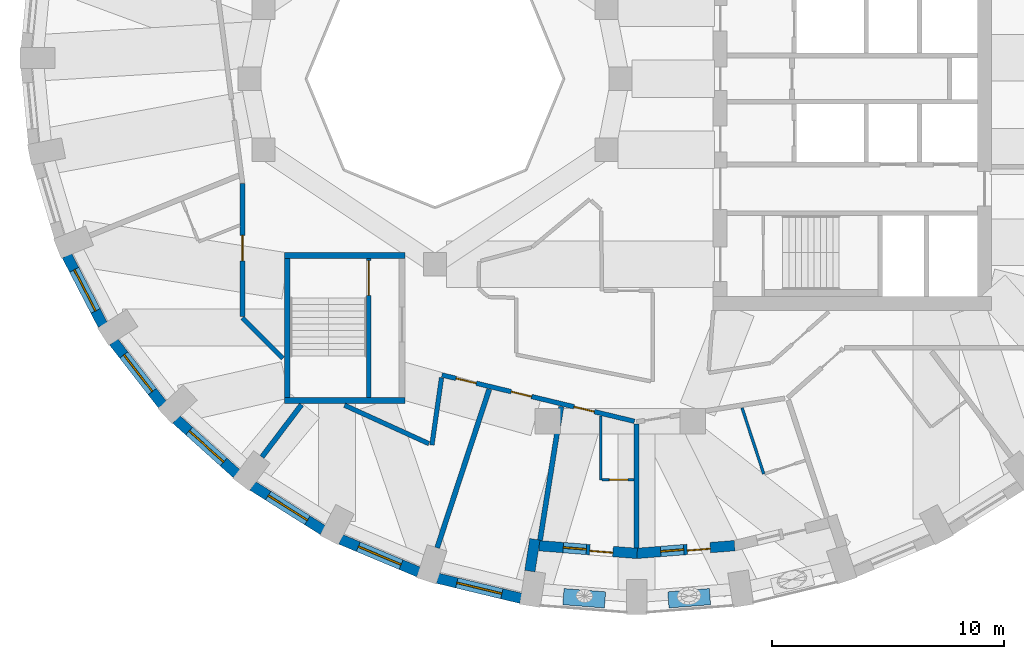
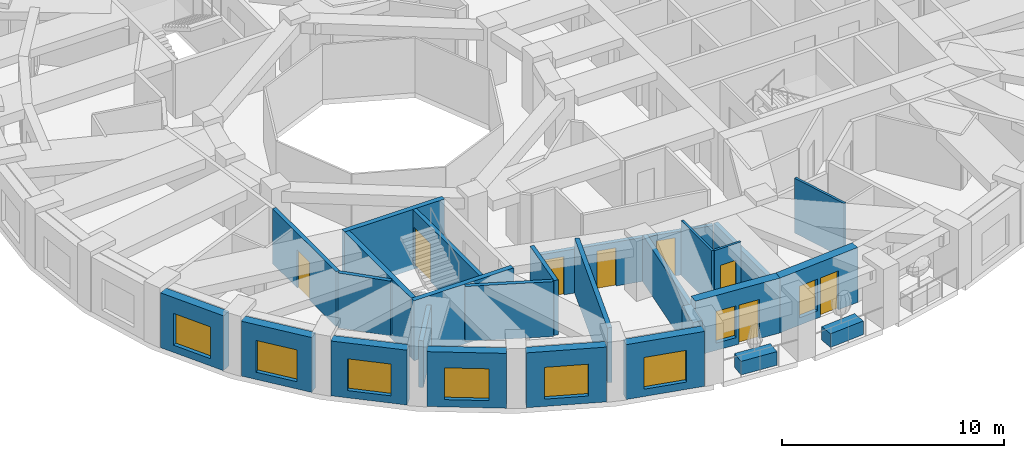
# One storey, part 3 of 12: 27 walls, 8 doors, 8 windows, 16 openings.
"""IFC4 building model written with IfcOpenShell, lengths in metres."""

import ifcopenshell
import ifcopenshell.guid

model = None  # the IFC model being written
_history = None  # IfcOwnerHistory: only IFC2X3 demands one
_inside = {}  # id of a spatial element -> (the spatial element, [elements in it])
_under = {}  # id of a project, library or spatial element -> (it, [spatial elements below it])
_declared = {}  # id of a project -> (the project, [libraries it declares])
_typed = {}  # id of a type object -> (the type object, [elements of that type])
_made_of = {}  # id of a material, layer set ... -> (it, [elements and type objects made of it])


def new_model(schema):
    """Start an empty IFC model of exactly this schema.

    Asked for "IFC4X3", IfcOpenShell would pick the latest addendum, in which some entities
    have other attributes; the version numbers below select the first issue.
    IFC2X3 requires an IfcOwnerHistory on every rooted entity: one is made here for all.
    """
    global model, _history
    if schema == "IFC4X3":
        model = ifcopenshell.file(schema_version=(4, 3, 0, 0))
    else:
        model = ifcopenshell.file(schema=schema)
    _inside.clear()
    _under.clear()
    _declared.clear()
    _typed.clear()
    _made_of.clear()
    _history = None
    if model.schema == "IFC2X3":
        org = make("IfcOrganization", Name="unknown")
        user = make(
            "IfcPersonAndOrganization",
            ThePerson=make("IfcPerson", FamilyName="unknown"),
            TheOrganization=org,
        )
        app = make(
            "IfcApplication",
            ApplicationDeveloper=org,
            Version="unknown",
            ApplicationFullName="unknown",
            ApplicationIdentifier="unknown",
        )
        _history = make(
            "IfcOwnerHistory",
            OwningUser=user,
            OwningApplication=app,
            ChangeAction="ADDED",
            CreationDate=0,
        )
    return model


def make(cls, **values):
    """One entity of the class cls with the attributes given. An attribute that is None is left unset."""
    return model.create_entity(
        cls, **{name: value for name, value in values.items() if value is not None}
    )


def rooted(cls, **values):
    """An entity with a GlobalId (a new one), such as an element, a storey or a relation."""
    return make(cls, GlobalId=ifcopenshell.guid.new(), OwnerHistory=_history, **values)


def si_unit(unit_type, name, prefix=None):
    """IfcSIUnit, for example si_unit("LENGTHUNIT", "METRE", prefix="MILLI")."""
    return make("IfcSIUnit", UnitType=unit_type, Prefix=prefix, Name=name)


def assignment(units):
    """IfcUnitAssignment: the units of a project."""
    return None if units is None else make("IfcUnitAssignment", Units=units)


def point(xyz):
    """IfcCartesianPoint."""
    return None if xyz is None else make("IfcCartesianPoint", Coordinates=xyz)


def direction(xyz):
    """IfcDirection."""
    return None if xyz is None else make("IfcDirection", DirectionRatios=xyz)


def frame(location, z_axis=None, x_axis=None):
    """IfcAxis2Placement3D, a coordinate frame: its origin and axes. An axis left out is left unset."""
    return make(
        "IfcAxis2Placement3D",
        Location=point(location),
        Axis=direction(z_axis),
        RefDirection=direction(x_axis),
    )


def frame_2d(location, x_axis=None):
    """IfcAxis2Placement2D, a coordinate frame in the plane: its origin and x axis."""
    return make(
        "IfcAxis2Placement2D", Location=point(location), RefDirection=direction(x_axis)
    )


def origin():
    """The frame at (0, 0, 0) with its axes left unset."""
    return frame((0.0, 0.0, 0.0))


def place(relative_to, where):
    """IfcLocalPlacement: puts the frame where relative to a parent placement (None: the world)."""
    return make(
        "IfcLocalPlacement", PlacementRelTo=relative_to, RelativePlacement=where
    )


def context(
    kind, dimensions, precision=None, world=None, true_north=None, identifier=None
):
    """IfcGeometricRepresentationContext, for example the 3D "Model" context."""
    return make(
        "IfcGeometricRepresentationContext",
        ContextIdentifier=identifier,
        ContextType=kind,
        CoordinateSpaceDimension=dimensions,
        Precision=precision,
        WorldCoordinateSystem=world,
        TrueNorth=true_north,
    )


def subcontext(parent, identifier, kind, view, scale=None):
    """IfcGeometricRepresentationSubContext, for example "Body" below "Model"."""
    return make(
        "IfcGeometricRepresentationSubContext",
        ContextIdentifier=identifier,
        ContextType=kind,
        ParentContext=parent,
        TargetScale=scale,
        TargetView=view,
    )


def project(units=None, contexts=None):
    """IfcProject with its units and contexts."""
    return rooted(
        "IfcProject",
        Name="project",
        RepresentationContexts=contexts,
        UnitsInContext=assignment(units),
    )


def spatial(cls, under=None, at=None, **own):
    """A site, building, storey or space (cls), placed at a placement, below another one or the project."""
    s = rooted(cls, ObjectPlacement=at, **own)
    if under is not None:
        _under.setdefault(under.id(), (under, []))[1].append(s)
    return s


def profile(cls, at=None, kind="AREA", **sizes):
    """A parametric profile (cls). Its sizes go by their IFC names, for example OverallWidth=200.0."""
    return make(cls, ProfileType=kind, Position=at, **sizes)


def rectangle(**sizes):
    """IfcRectangleProfileDef."""
    return profile("IfcRectangleProfileDef", **sizes)


def extrude(swept, where, along, depth):
    """IfcExtrudedAreaSolid: the profile swept, set in the frame where, extruded along a direction by depth."""
    return make(
        "IfcExtrudedAreaSolid",
        SweptArea=swept,
        Position=where,
        ExtrudedDirection=direction(along),
        Depth=depth,
    )


def shape(context_of_items, identifier, shape_type, items):
    """IfcShapeRepresentation: the items that make up one representation, for example the "Body"."""
    return make(
        "IfcShapeRepresentation",
        ContextOfItems=context_of_items,
        RepresentationIdentifier=identifier,
        RepresentationType=shape_type,
        Items=items,
    )


def material(Name=None, Category=None):
    """IfcMaterial."""
    return make("IfcMaterial", Name=Name, Category=Category)


def layer(
    of_material, thickness, ventilated=None, Name=None, Category=None, Priority=None
):
    """IfcMaterialLayer: one layer of a wall or slab, of a material (None: an air gap)."""
    return make(
        "IfcMaterialLayer",
        Material=of_material,
        LayerThickness=thickness,
        IsVentilated=ventilated,
        Name=Name,
        Category=Category,
        Priority=Priority,
    )


def layer_set(layers, Name=None):
    """IfcMaterialLayerSet."""
    return make("IfcMaterialLayerSet", MaterialLayers=layers, LayerSetName=Name)


def constituent(of_material, Name=None, Category=None, fraction=None):
    """IfcMaterialConstituent: one of the materials an element consists of."""
    return make(
        "IfcMaterialConstituent",
        Name=Name,
        Material=of_material,
        Fraction=fraction,
        Category=Category,
    )


def constituent_set(constituents=None, Name=None):
    """IfcMaterialConstituentSet."""
    return make(
        "IfcMaterialConstituentSet", Name=Name, MaterialConstituents=constituents
    )


def made_of(thing, what):
    """Note that an element or type object is made of a material, layer set ...; save() writes the relation."""
    if what is not None:
        _made_of.setdefault(what.id(), (what, []))[1].append(thing)
    return thing


def type_object(cls, material=None, **own):
    """A type object (cls), such as IfcWallType, which elements share."""
    return made_of(rooted(cls, **own), material)


def element(
    cls,
    number,
    at=None,
    inside=None,
    cuts=None,
    type_object=None,
    material=None,
    context=None,
    identifier="Body",
    shape_type=None,
    held_by="IfcProductDefinitionShape",
    body=None,
    shapes=None,
    **own,
):
    """One element of the class cls, such as IfcWall. Its Tag is "e" and its number.

    at: its placement. inside: the storey or other place that contains it. cuts: it is an
    opening in that element (IfcRelVoidsElement). A single representation is given by context,
    identifier, shape_type and body (its items); several are given by shapes. held_by: the class
    of the entity that holds the representations. save() writes the other relations.
    """
    e = rooted(cls, Tag="e%d" % number, ObjectPlacement=at, **own)
    if body is not None:
        shapes = [shape(context, identifier, shape_type, body)]
    if shapes is not None:
        e.Representation = make(held_by, Representations=shapes)
    if inside is not None:
        _inside.setdefault(inside.id(), (inside, []))[1].append(e)
    if cuts is not None:
        rooted(
            "IfcRelVoidsElement", RelatingBuildingElement=cuts, RelatedOpeningElement=e
        )
    if type_object is not None:
        _typed.setdefault(type_object.id(), (type_object, []))[1].append(e)
    return made_of(e, material)


def fill(opening, filler):
    """IfcRelFillsElement: the door or window that sits in an opening."""
    return rooted(
        "IfcRelFillsElement",
        RelatingOpeningElement=opening,
        RelatedBuildingElement=filler,
    )


def aggregate(whole, parts):
    """IfcRelAggregates: a whole, such as a stair, and the parts it consists of."""
    return rooted("IfcRelAggregates", RelatingObject=whole, RelatedObjects=parts)


def save(model, path):
    """Write the relations noted so far, then the file.

    IfcRelAggregates (storeys below a building ...), IfcRelContainedInSpatialStructure (elements
    in a storey), IfcRelDefinesByType, IfcRelAssociatesMaterial and IfcRelDeclares: one each for
    every whole, place, type object, material and project.
    """
    for whole, parts in _under.values():
        aggregate(whole, parts)
    for where, things in _inside.values():
        rooted(
            "IfcRelContainedInSpatialStructure",
            RelatedElements=things,
            RelatingStructure=where,
        )
    for kind, things in _typed.values():
        rooted("IfcRelDefinesByType", RelatedObjects=things, RelatingType=kind)
    for what, things in _made_of.values():
        rooted("IfcRelAssociatesMaterial", RelatedObjects=things, RelatingMaterial=what)
    for by, libraries in _declared.values():
        rooted("IfcRelDeclares", RelatingContext=by, RelatedDefinitions=libraries)
    model.write(path)


model = new_model("IFC4")

# Units and contexts
model_context = context("Model", 3, precision=1e-05, world=origin(), true_north=direction((0.0, 1.0)))
body_context = subcontext(model_context, "Body", "Model", "MODEL_VIEW")
ifc_project = project(units=[si_unit("LENGTHUNIT", "METRE"), si_unit("AREAUNIT", "SQUARE_METRE"), si_unit("VOLUMEUNIT", "CUBIC_METRE"), si_unit("PLANEANGLEUNIT", "RADIAN"), si_unit("MASSUNIT", "GRAM", prefix="KILO")], contexts=[model_context])

# Site, building, storey
site_placement = place(None, origin())
site = spatial("IfcSite", under=ifc_project, at=site_placement, CompositionType="ELEMENT")
building_placement = place(site_placement, origin())
building = spatial("IfcBuilding", under=site, at=building_placement, Name="Taillehof Tower", CompositionType="ELEMENT")
storey_placement = place(building_placement, frame((0.0, 0.0, 199.10009765625)))
storey = spatial("IfcBuildingStorey", under=building, at=storey_placement, Name="L56", CompositionType="ELEMENT", Elevation=199.10009765625)

# Wall, opening, window
ifc_material_1 = material(Name="Brick masonry", Category="masonry")
ifc_layer_1 = layer(ifc_material_1, 0.449951171875)
ifc_layer_set_1 = layer_set([ifc_layer_1], Name="Brick infill wall 450")
wall_type_1 = type_object("IfcWallType", Name="Brick infill wall 450", PredefinedType="SOLIDWALL", material=ifc_layer_set_1)
wall_1_placement = place(storey_placement, frame((-23.878173828125, -7.631591796875, 0.0), z_axis=(0.0, 0.0, 1.0), x_axis=(0.460232593174, -0.887798378113, 0.0)))
wall_1 = element("IfcWall", 1, at=wall_1_placement, inside=storey, type_object=wall_type_1, Name="Brick wall L56 bay 21", PredefinedType="SOLIDWALL", context=body_context, shape_type="SweptSolid", body=[
    extrude(rectangle(XDim=3.37060546875, YDim=0.449951171875, at=frame_2d((1.685302734375, 0.0))), origin(), (0.0, 0.0, 1.0), 3.02001953125),
])
opening_1_placement = place(wall_1_placement, frame((0.685302734375, 0.0, 0.39990234375)))
opening_1 = element("IfcOpeningElement", 2, at=opening_1_placement, cuts=wall_1, Name="Opening W2", PredefinedType="OPENING", context=body_context, shape_type="SweptSolid", body=[
    extrude(rectangle(XDim=2.0, YDim=1.75, at=frame_2d((1.0, 0.875))), frame((0.0, 0.23486328125, 0.0), z_axis=(0.0, -1.0, 0.0), x_axis=(1.0, 0.0, 0.0)), (0.0, 0.0, 1.0), 0.469970703125),
])
ifc_material_2 = material(Name="Aluminium window frame with clear double glazing", Category="aluminium")
window_type_1 = type_object("IfcWindowType", Name="Deep-set window 2000x1750", PartitioningType="SINGLE_PANEL", PredefinedType="WINDOW", material=ifc_material_2)
window_1_placement = place(opening_1_placement, origin())
window_1 = element("IfcWindow", 3, at=window_1_placement, inside=storey, type_object=window_type_1, Name="W2", OverallHeight=1.75, OverallWidth=2.0, PartitioningType="SINGLE_PANEL", PredefinedType="WINDOW", context=body_context, shape_type="SweptSolid", body=[
    extrude(rectangle(XDim=2.0, YDim=1.75, at=frame_2d((1.0, 0.875))), frame((0.0, 0.034912109375, 0.0), z_axis=(0.0, -1.0, 0.0), x_axis=(1.0, 0.0, 0.0)), (0.0, 0.0, 1.0), 0.06005859375),
])
fill(opening_1, window_1)

wall_2_placement = place(storey_placement, frame((-21.86279296875, -11.348388671875, 0.0), z_axis=(0.0, 0.0, 1.0), x_axis=(0.614255239631, -0.789107407509, 0.0)))
wall_2 = element("IfcWall", 4, at=wall_2_placement, inside=storey, type_object=wall_type_1, Name="Brick wall L56 bay 22", PredefinedType="SOLIDWALL", context=body_context, shape_type="SweptSolid", body=[
    extrude(rectangle(XDim=3.4375, YDim=0.449951171875, at=frame_2d((1.71875, 0.0))), origin(), (0.0, 0.0, 1.0), 3.02001953125),
])
opening_2_placement = place(wall_2_placement, frame((0.71875, 0.0, 0.39990234375)))
opening_2 = element("IfcOpeningElement", 5, at=opening_2_placement, cuts=wall_2, Name="Opening W2", PredefinedType="OPENING", context=body_context, shape_type="SweptSolid", body=[
    extrude(rectangle(XDim=2.0, YDim=1.75, at=frame_2d((1.0, 0.875))), frame((0.0, 0.23486328125, 0.0), z_axis=(0.0, -1.0, 0.0), x_axis=(1.0, 0.0, 0.0)), (0.0, 0.0, 1.0), 0.469970703125),
])
window_2_placement = place(opening_2_placement, origin())
window_2 = element("IfcWindow", 6, at=window_2_placement, inside=storey, type_object=window_type_1, Name="W2", OverallHeight=1.75, OverallWidth=2.0, PartitioningType="SINGLE_PANEL", PredefinedType="WINDOW", context=body_context, shape_type="SweptSolid", body=[
    extrude(rectangle(XDim=2.0, YDim=1.75, at=frame_2d((1.0, 0.875))), frame((0.0, 0.034912109375, 0.0), z_axis=(0.0, -1.0, 0.0), x_axis=(1.0, 0.0, 0.0)), (0.0, 0.0, 1.0), 0.06005859375),
])
fill(opening_2, window_2)

wall_3_placement = place(storey_placement, frame((-19.1650390625, -14.6904296875, 0.0), z_axis=(0.0, 0.0, 1.0), x_axis=(0.743442727602, -0.668799604348, 0.0)))
wall_3 = element("IfcWall", 7, at=wall_3_placement, inside=storey, type_object=wall_type_1, Name="Brick wall L56 bay 23", PredefinedType="SOLIDWALL", context=body_context, shape_type="SweptSolid", body=[
    extrude(rectangle(XDim=3.5126953125, YDim=0.449951171875, at=frame_2d((1.75634765625, 0.0))), origin(), (0.0, 0.0, 1.0), 3.02001953125),
])
opening_3_placement = place(wall_3_placement, frame((0.75634765625, 0.0, 0.39990234375)))
opening_3 = element("IfcOpeningElement", 8, at=opening_3_placement, cuts=wall_3, Name="Opening W2", PredefinedType="OPENING", context=body_context, shape_type="SweptSolid", body=[
    extrude(rectangle(XDim=2.0, YDim=1.75, at=frame_2d((1.0, 0.875))), frame((0.0, 0.23486328125, 0.0), z_axis=(0.0, -1.0, 0.0), x_axis=(1.0, 0.0, 0.0)), (0.0, 0.0, 1.0), 0.469970703125),
])
window_3_placement = place(opening_3_placement, origin())
window_3 = element("IfcWindow", 9, at=window_3_placement, inside=storey, type_object=window_type_1, Name="W2", OverallHeight=1.75, OverallWidth=2.0, PartitioningType="SINGLE_PANEL", PredefinedType="WINDOW", context=body_context, shape_type="SweptSolid", body=[
    extrude(rectangle(XDim=2.0, YDim=1.75, at=frame_2d((1.0, 0.875))), frame((0.0, 0.034912109375, 0.0), z_axis=(0.0, -1.0, 0.0), x_axis=(1.0, 0.0, 0.0)), (0.0, 0.0, 1.0), 0.06005859375),
])
fill(opening_3, window_3)

wall_4_placement = place(storey_placement, frame((-15.8671875, -17.55859375, 0.0), z_axis=(0.0, 0.0, 1.0), x_axis=(0.84616917791, -0.532914366813, 0.0)))
wall_4 = element("IfcWall", 10, at=wall_4_placement, inside=storey, type_object=wall_type_1, Name="Brick wall L56 bay 24", PredefinedType="SOLIDWALL", context=body_context, shape_type="SweptSolid", body=[
    extrude(rectangle(XDim=3.586669921875, YDim=0.449951171875, at=frame_2d((1.79345703125, 0.0))), origin(), (0.0, 0.0, 1.0), 3.02001953125),
])
opening_4_placement = place(wall_4_placement, frame((0.79345703125, 0.0, 0.39990234375)))
opening_4 = element("IfcOpeningElement", 11, at=opening_4_placement, cuts=wall_4, Name="Opening W2", PredefinedType="OPENING", context=body_context, shape_type="SweptSolid", body=[
    extrude(rectangle(XDim=2.0, YDim=1.75, at=frame_2d((1.0, 0.875))), frame((0.0, 0.23486328125, 0.0), z_axis=(0.0, -1.0, 0.0), x_axis=(1.0, 0.0, 0.0)), (0.0, 0.0, 1.0), 0.469970703125),
])
window_4_placement = place(opening_4_placement, origin())
window_4 = element("IfcWindow", 12, at=window_4_placement, inside=storey, type_object=window_type_1, Name="W2", OverallHeight=1.75, OverallWidth=2.0, PartitioningType="SINGLE_PANEL", PredefinedType="WINDOW", context=body_context, shape_type="SweptSolid", body=[
    extrude(rectangle(XDim=2.0, YDim=1.75, at=frame_2d((1.0, 0.875))), frame((0.0, 0.034912109375, 0.0), z_axis=(0.0, -1.0, 0.0), x_axis=(1.0, 0.0, 0.0)), (0.0, 0.0, 1.0), 0.06005859375),
])
fill(opening_4, window_4)

wall_5_placement = place(storey_placement, frame((-12.0693359375, -19.866943359375, 0.0), z_axis=(0.0, 0.0, 1.0), x_axis=(0.922168222612, -0.386789050006, 0.0)))
wall_5 = element("IfcWall", 13, at=wall_5_placement, inside=storey, type_object=wall_type_1, Name="Brick wall L56 bay 25", PredefinedType="SOLIDWALL", context=body_context, shape_type="SweptSolid", body=[
    extrude(rectangle(XDim=3.65087890625, YDim=0.449951171875, at=frame_2d((1.825439453125, 0.0))), origin(), (0.0, 0.0, 1.0), 3.02001953125),
])
opening_5_placement = place(wall_5_placement, frame((0.825439453125, 0.0, 0.39990234375)))
opening_5 = element("IfcOpeningElement", 14, at=opening_5_placement, cuts=wall_5, Name="Opening W2", PredefinedType="OPENING", context=body_context, shape_type="SweptSolid", body=[
    extrude(rectangle(XDim=2.0, YDim=1.75, at=frame_2d((1.0, 0.875))), frame((0.0, 0.23486328125, 0.0), z_axis=(0.0, -1.0, 0.0), x_axis=(1.0, 0.0, 0.0)), (0.0, 0.0, 1.0), 0.469970703125),
])
window_5_placement = place(opening_5_placement, origin())
window_5 = element("IfcWindow", 15, at=window_5_placement, inside=storey, type_object=window_type_1, Name="W2", OverallHeight=1.75, OverallWidth=2.0, PartitioningType="SINGLE_PANEL", PredefinedType="WINDOW", context=body_context, shape_type="SweptSolid", body=[
    extrude(rectangle(XDim=2.0, YDim=1.75, at=frame_2d((1.0, 0.875))), frame((0.0, 0.034912109375, 0.0), z_axis=(0.0, -1.0, 0.0), x_axis=(1.0, 0.0, 0.0)), (0.0, 0.0, 1.0), 0.06005859375),
])
fill(opening_5, window_5)

wall_6_placement = place(storey_placement, frame((-7.88525390625, -21.547119140625, 0.0), z_axis=(0.0, 0.0, 1.0), x_axis=(0.9721584944, -0.234324266275, 0.0)))
wall_6 = element("IfcWall", 16, at=wall_6_placement, inside=storey, type_object=wall_type_1, Name="Brick wall L56 bay 26", PredefinedType="SOLIDWALL", context=body_context, shape_type="SweptSolid", body=[
    extrude(rectangle(XDim=3.69775390625, YDim=0.449951171875, at=frame_2d((1.848876953125, 0.0))), origin(), (0.0, 0.0, 1.0), 3.02001953125),
])
opening_6_placement = place(wall_6_placement, frame((0.848876953125, 0.0, 0.39990234375)))
opening_6 = element("IfcOpeningElement", 17, at=opening_6_placement, cuts=wall_6, Name="Opening W2", PredefinedType="OPENING", context=body_context, shape_type="SweptSolid", body=[
    extrude(rectangle(XDim=2.0, YDim=1.75, at=frame_2d((1.0, 0.875))), frame((0.0, 0.23486328125, 0.0), z_axis=(0.0, -1.0, 0.0), x_axis=(1.0, 0.0, 0.0)), (0.0, 0.0, 1.0), 0.469970703125),
])
window_6_placement = place(opening_6_placement, origin())
window_6 = element("IfcWindow", 18, at=window_6_placement, inside=storey, type_object=window_type_1, Name="W2", OverallHeight=1.75, OverallWidth=2.0, PartitioningType="SINGLE_PANEL", PredefinedType="WINDOW", context=body_context, shape_type="SweptSolid", body=[
    extrude(rectangle(XDim=2.0, YDim=1.75, at=frame_2d((1.0, 0.875))), frame((0.0, 0.034912109375, 0.0), z_axis=(0.0, -1.0, 0.0), x_axis=(1.0, 0.0, 0.0)), (0.0, 0.0, 1.0), 0.06005859375),
])
fill(opening_6, window_6)

# Wall
wall_7_placement = place(storey_placement, frame((-3.90869140625, -21.238525390625, 0.0), z_axis=(0.0, 0.0, 1.0), x_axis=(0.157017718735, 0.987595785736, 0.0)))
element("IfcWall", 19, at=wall_7_placement, inside=storey, type_object=wall_type_1, Name="Brick reveal L56 pocket 8", PredefinedType="SOLIDWALL", context=body_context, shape_type="SweptSolid", body=[
    extrude(rectangle(XDim=1.39013671875, YDim=0.449951171875, at=frame_2d((0.695068359375, 0.0))), origin(), (0.0, 0.0, 1.0), 2.56982421875),
])

# Wall, openings, door, window
wall_8_placement = place(storey_placement, frame((-3.506591796875, -20.142333984375, 0.0), z_axis=(0.0, 0.0, 1.0), x_axis=(0.996902786213, -0.078643720926, 0.0)))
wall_8 = element("IfcWall", 20, at=wall_8_placement, inside=storey, type_object=wall_type_1, Name="Brick wall L56 pocket bay 27", PredefinedType="SOLIDWALL", context=body_context, shape_type="SweptSolid", body=[
    extrude(rectangle(XDim=4.237548828125, YDim=0.449951171875, at=frame_2d((2.11865234375, 0.0))), origin(), (0.0, 0.0, 1.0), 3.02001953125),
])
opening_7_placement = place(wall_8_placement, frame((1.043701171875, 0.0, 0.39990234375)))
opening_7 = element("IfcOpeningElement", 21, at=opening_7_placement, cuts=wall_8, Name="Opening W5", PredefinedType="OPENING", context=body_context, shape_type="SweptSolid", body=[
    extrude(rectangle(XDim=1.0, YDim=1.75, at=frame_2d((0.5, 0.875))), frame((0.0, 0.23486328125, 0.0), z_axis=(0.0, -1.0, 0.0), x_axis=(1.0, 0.0, 0.0)), (0.0, 0.0, 1.0), 0.469970703125),
])
opening_8_placement = place(wall_8_placement, frame((2.193603515625, 0.0, 0.0)))
opening_8 = element("IfcOpeningElement", 22, at=opening_8_placement, cuts=wall_8, Name="Opening D5694", PredefinedType="OPENING", context=body_context, shape_type="SweptSolid", body=[
    extrude(rectangle(XDim=1.0, YDim=2.14990234375, at=frame_2d((0.5, 1.074951171875))), frame((0.0, 0.23486328125, 0.0), z_axis=(0.0, -1.0, 0.0), x_axis=(1.0, 0.0, 0.0)), (0.0, 0.0, 1.0), 0.469970703125),
])
ifc_material_3 = material(Name="Aluminium door frame with clear double glazing", Category="aluminium")
door_type_1 = type_object("IfcDoorType", Name="Balcony door 1000x2150", OperationType="SINGLE_SWING_RIGHT", PredefinedType="DOOR", material=ifc_material_3)
door_1_placement = place(opening_8_placement, frame((1.0, 0.0, 0.0), z_axis=(0.0, 0.0, 1.0), x_axis=(-1.0, 0.0, 0.0)))
door_1 = element("IfcDoor", 23, at=door_1_placement, inside=storey, type_object=door_type_1, Name="Balcony door L56 bay 27", OperationType="SINGLE_SWING_RIGHT", OverallHeight=2.14990234375, OverallWidth=1.0, PredefinedType="DOOR", context=body_context, shape_type="SweptSolid", body=[
    extrude(rectangle(XDim=1.0, YDim=2.14990234375, at=frame_2d((0.5, 1.074951171875))), frame((0.0, 0.0751953125, 0.0), z_axis=(0.0, -1.0, 0.0), x_axis=(1.0, 0.0, 0.0)), (0.0, 0.0, 1.0), 0.050048828125),
])
fill(opening_8, door_1)
ifc_material_4 = material(Name="Aluminium window frame with clear double glazing", Category="aluminium")
window_type_2 = type_object("IfcWindowType", Name="Fixed window 1000x1750", PartitioningType="SINGLE_PANEL", PredefinedType="WINDOW", material=ifc_material_4)
window_7_placement = place(opening_7_placement, origin())
window_7 = element("IfcWindow", 24, at=window_7_placement, inside=storey, type_object=window_type_2, Name="W5", OverallHeight=1.75, OverallWidth=1.0, PartitioningType="SINGLE_PANEL", PredefinedType="WINDOW", context=body_context, shape_type="SweptSolid", body=[
    extrude(rectangle(XDim=1.0, YDim=1.75, at=frame_2d((0.5, 0.875))), frame((0.0, 0.034912109375, 0.0), z_axis=(0.0, -1.0, 0.0), x_axis=(1.0, 0.0, 0.0)), (0.0, 0.0, 1.0), 0.06005859375),
])
fill(opening_7, window_7)

wall_9_placement = place(storey_placement, frame((0.682373046875, -20.4755859375, 0.0), z_axis=(0.0, 0.0, 1.0), x_axis=(0.996901346333, 0.078661970983, 0.0)))
wall_9 = element("IfcWall", 25, at=wall_9_placement, inside=storey, type_object=wall_type_1, Name="Brick wall L56 pocket bay 28", PredefinedType="SOLIDWALL", context=body_context, shape_type="SweptSolid", body=[
    extrude(rectangle(XDim=4.255126953125, YDim=0.449951171875, at=frame_2d((2.12744140625, 0.0))), origin(), (0.0, 0.0, 1.0), 3.02001953125),
])
opening_9_placement = place(wall_9_placement, frame((1.052490234375, 0.0, 0.39990234375)))
opening_9 = element("IfcOpeningElement", 26, at=opening_9_placement, cuts=wall_9, Name="Opening W5", PredefinedType="OPENING", context=body_context, shape_type="SweptSolid", body=[
    extrude(rectangle(XDim=1.0, YDim=1.75, at=frame_2d((0.5, 0.875))), frame((0.0, 0.23486328125, 0.0), z_axis=(0.0, -1.0, 0.0), x_axis=(1.0, 0.0, 0.0)), (0.0, 0.0, 1.0), 0.469970703125),
])
opening_10_placement = place(wall_9_placement, frame((2.20263671875, 0.0, 0.0)))
opening_10 = element("IfcOpeningElement", 27, at=opening_10_placement, cuts=wall_9, Name="Opening D5695", PredefinedType="OPENING", context=body_context, shape_type="SweptSolid", body=[
    extrude(rectangle(XDim=1.0, YDim=2.14990234375, at=frame_2d((0.5, 1.074951171875))), frame((0.0, 0.23486328125, 0.0), z_axis=(0.0, -1.0, 0.0), x_axis=(1.0, 0.0, 0.0)), (0.0, 0.0, 1.0), 0.469970703125),
])
door_2_placement = place(opening_10_placement, frame((1.0, 0.0, 0.0), z_axis=(0.0, 0.0, 1.0), x_axis=(-1.0, 0.0, 0.0)))
door_2 = element("IfcDoor", 28, at=door_2_placement, inside=storey, type_object=door_type_1, Name="Balcony door L56 bay 28", OperationType="SINGLE_SWING_LEFT", OverallHeight=2.14990234375, OverallWidth=1.0, PredefinedType="DOOR", context=body_context, shape_type="SweptSolid", body=[
    extrude(rectangle(XDim=1.0, YDim=2.14990234375, at=frame_2d((0.5, 1.074951171875))), frame((0.0, 0.0751953125, 0.0), z_axis=(0.0, -1.0, 0.0), x_axis=(1.0, 0.0, 0.0)), (0.0, 0.0, 1.0), 0.050048828125),
])
fill(opening_10, door_2)
window_8_placement = place(opening_9_placement, origin())
window_8 = element("IfcWindow", 29, at=window_8_placement, inside=storey, type_object=window_type_2, Name="W5", OverallHeight=1.75, OverallWidth=1.0, PartitioningType="SINGLE_PANEL", PredefinedType="WINDOW", context=body_context, shape_type="SweptSolid", body=[
    extrude(rectangle(XDim=1.0, YDim=1.75, at=frame_2d((0.5, 0.875))), frame((0.0, 0.034912109375, 0.0), z_axis=(0.0, -1.0, 0.0), x_axis=(1.0, 0.0, 0.0)), (0.0, 0.0, 1.0), 0.06005859375),
])
fill(opening_9, window_8)

# Wall, openings, doors
ifc_material_5 = material(Name="Gypsum board on steel studs, two layers each side", Category="steel")
ifc_layer_2 = layer(ifc_material_5, 0.199951171875)
ifc_layer_set_2 = layer_set([ifc_layer_2], Name="Compartment wall corridor 200")
wall_type_2 = type_object("IfcWallType", Name="Compartment wall corridor 200", PredefinedType="PARTITIONING", material=ifc_layer_set_2)
wall_10_placement = place(storey_placement, frame((0.602294921875, -14.77685546875, 0.0), z_axis=(0.0, 0.0, 1.0), x_axis=(-0.972266752798, 0.23387467029, 0.0)))
wall_10 = element("IfcWall", 30, at=wall_10_placement, inside=storey, type_object=wall_type_2, Name="Compartment wall", PredefinedType="PARTITIONING", context=body_context, shape_type="SweptSolid", body=[
    extrude(rectangle(XDim=8.5390625, YDim=0.199951171875, at=frame_2d((4.26953125, 0.0))), origin(), (0.0, 0.0, 1.0), 2.419921875),
])
opening_11_placement = place(wall_10_placement, frame((7.015869140625, 0.0, 0.0)))
opening_11 = element("IfcOpeningElement", 31, at=opening_11_placement, cuts=wall_10, Name="Opening D5655", PredefinedType="OPENING", context=body_context, shape_type="SweptSolid", body=[
    extrude(rectangle(XDim=0.89990234375, YDim=2.10009765625, at=frame_2d((0.449951171875, 1.050048828125))), frame((0.0, 0.10986328125, 0.0), z_axis=(0.0, -1.0, 0.0), x_axis=(1.0, 0.0, 0.0)), (0.0, 0.0, 1.0), 0.219970703125),
])
opening_12_placement = place(wall_10_placement, frame((4.5654296875, 0.0, 0.0)))
opening_12 = element("IfcOpeningElement", 32, at=opening_12_placement, cuts=wall_10, Name="Opening D5656", PredefinedType="OPENING", context=body_context, shape_type="SweptSolid", body=[
    extrude(rectangle(XDim=0.89990234375, YDim=2.10009765625, at=frame_2d((0.449951171875, 1.050048828125))), frame((0.0, 0.10986328125, 0.0), z_axis=(0.0, -1.0, 0.0), x_axis=(1.0, 0.0, 0.0)), (0.0, 0.0, 1.0), 0.219970703125),
])
opening_13_placement = place(wall_10_placement, frame((1.779541015625, 0.0, 0.0)))
opening_13 = element("IfcOpeningElement", 33, at=opening_13_placement, cuts=wall_10, Name="Opening D5657", PredefinedType="OPENING", context=body_context, shape_type="SweptSolid", body=[
    extrude(rectangle(XDim=0.89990234375, YDim=2.10009765625, at=frame_2d((0.449951171875, 1.050048828125))), frame((0.0, 0.10986328125, 0.0), z_axis=(0.0, -1.0, 0.0), x_axis=(1.0, 0.0, 0.0)), (0.0, 0.0, 1.0), 0.219970703125),
])
ifc_material_6 = material(Name="Timber door leaf in steel frame", Category="steel")
door_type_2 = type_object("IfcDoorType", Name="Guest room door EI 30 900 x 2100", OperationType="SINGLE_SWING_LEFT", PredefinedType="DOOR", material=ifc_material_6)
door_3_placement = place(opening_13_placement, origin())
door_3 = element("IfcDoor", 34, at=door_3_placement, inside=storey, type_object=door_type_2, Name="D5657", OperationType="SINGLE_SWING_LEFT", OverallHeight=2.10009765625, OverallWidth=0.89990234375, PredefinedType="DOOR", context=body_context, shape_type="SweptSolid", body=[
    extrude(rectangle(XDim=0.89990234375, YDim=2.10009765625, at=frame_2d((0.449951171875, 1.050048828125))), frame((0.0, 0.02490234375, 0.0), z_axis=(0.0, -1.0, 0.0), x_axis=(1.0, 0.0, 0.0)), (0.0, 0.0, 1.0), 0.050048828125),
])
fill(opening_13, door_3)
ifc_material_7 = material(Name="Timber door leaf in steel frame", Category="steel")
door_type_3 = type_object("IfcDoorType", Name="Service room door EI 30 900 x 2100", OperationType="SINGLE_SWING_LEFT", PredefinedType="DOOR", material=ifc_material_7)
door_4_placement = place(opening_11_placement, origin())
door_4 = element("IfcDoor", 35, at=door_4_placement, inside=storey, type_object=door_type_3, Name="D5655", OperationType="SINGLE_SWING_RIGHT", OverallHeight=2.10009765625, OverallWidth=0.89990234375, PredefinedType="DOOR", context=body_context, shape_type="SweptSolid", body=[
    extrude(rectangle(XDim=0.89990234375, YDim=2.10009765625, at=frame_2d((0.449951171875, 1.050048828125))), frame((0.0, 0.02490234375, 0.0), z_axis=(0.0, -1.0, 0.0), x_axis=(1.0, 0.0, 0.0)), (0.0, 0.0, 1.0), 0.050048828125),
])
fill(opening_11, door_4)
door_5_placement = place(opening_12_placement, origin())
door_5 = element("IfcDoor", 36, at=door_5_placement, inside=storey, type_object=door_type_3, Name="D5656", OperationType="SINGLE_SWING_RIGHT", OverallHeight=2.10009765625, OverallWidth=0.89990234375, PredefinedType="DOOR", context=body_context, shape_type="SweptSolid", body=[
    extrude(rectangle(XDim=0.89990234375, YDim=2.10009765625, at=frame_2d((0.449951171875, 1.050048828125))), frame((0.0, 0.02490234375, 0.0), z_axis=(0.0, -1.0, 0.0), x_axis=(1.0, 0.0, 0.0)), (0.0, 0.0, 1.0), 0.050048828125),
])
fill(opening_12, door_5)

# Walls
wall_11_placement = place(storey_placement, frame((-7.717529296875, -12.8984375, 0.0), z_axis=(0.0, 0.0, 1.0), x_axis=(-0.141269756138, -0.989971138974, 0.0)))
element("IfcWall", 37, at=wall_11_placement, inside=storey, type_object=wall_type_2, Name="Compartment wall", PredefinedType="PARTITIONING", context=body_context, shape_type="SweptSolid", body=[
    extrude(rectangle(XDim=2.930908203125, YDim=0.199951171875, at=frame_2d((1.46533203125, 0.0))), origin(), (0.0, 0.0, 1.0), 3.02001953125),
])
wall_12_placement = place(storey_placement, frame((-8.259765625, -15.741943359375, 0.0), z_axis=(0.0, 0.0, 1.0), x_axis=(-0.910075871217, 0.414441683025, 0.0)))
element("IfcWall", 38, at=wall_12_placement, inside=storey, type_object=wall_type_2, Name="Compartment wall", PredefinedType="PARTITIONING", context=body_context, shape_type="SweptSolid", body=[
    extrude(rectangle(XDim=4.002197265625, YDim=0.199951171875, at=frame_2d((2.0009765625, 0.0))), origin(), (0.0, 0.0, 1.0), 3.02001953125),
])
wall_13_placement = place(storey_placement, frame((-14.561767578125, -12.064453125, 0.0), z_axis=(0.0, 0.0, 1.0), x_axis=(-0.704826289083, 0.709379942074, 0.0)))
element("IfcWall", 39, at=wall_13_placement, inside=storey, type_object=wall_type_2, Name="Compartment wall", PredefinedType="PARTITIONING", context=body_context, shape_type="SweptSolid", body=[
    extrude(rectangle(XDim=2.46630859375, YDim=0.199951171875, at=frame_2d((1.233154296875, 0.0))), origin(), (0.0, 0.0, 1.0), 3.02001953125),
])

# Wall, opening, door
wall_14_placement = place(storey_placement, frame((-16.300048828125, -10.2548828125, 0.0), z_axis=(0.0, 0.0, 1.0), x_axis=(0.0, 1.0, 0.0)))
wall_14 = element("IfcWall", 40, at=wall_14_placement, inside=storey, type_object=wall_type_2, Name="Compartment wall", PredefinedType="PARTITIONING", context=body_context, shape_type="SweptSolid", body=[
    extrude(rectangle(XDim=5.734375, YDim=0.199951171875, at=frame_2d((2.8671875, 0.0))), origin(), (0.0, 0.0, 1.0), 3.02001953125),
])
opening_14_placement = place(wall_14_placement, frame((2.401123046875, 0.0, 0.0)))
opening_14 = element("IfcOpeningElement", 41, at=opening_14_placement, cuts=wall_14, Name="Opening D5653", PredefinedType="OPENING", context=body_context, shape_type="SweptSolid", body=[
    extrude(rectangle(XDim=1.10009765625, YDim=2.10009765625, at=frame_2d((0.550048828125, 1.050048828125))), frame((0.0, 0.10986328125, 0.0), z_axis=(0.0, -1.0, 0.0), x_axis=(1.0, 0.0, 0.0)), (0.0, 0.0, 1.0), 0.219970703125),
])
ifc_material_8 = material(Name="Timber door leaf in steel frame", Category="steel")
door_type_4 = type_object("IfcDoorType", Name="Suite entrance door EI 30 1100 x 2100", OperationType="SINGLE_SWING_LEFT", PredefinedType="DOOR", material=ifc_material_8)
door_6_placement = place(opening_14_placement, origin())
door_6 = element("IfcDoor", 42, at=door_6_placement, inside=storey, type_object=door_type_4, Name="D5653", OperationType="SINGLE_SWING_RIGHT", OverallHeight=2.10009765625, OverallWidth=1.10009765625, PredefinedType="DOOR", context=body_context, shape_type="SweptSolid", body=[
    extrude(rectangle(XDim=1.10009765625, YDim=2.10009765625, at=frame_2d((0.550048828125, 1.050048828125))), frame((0.0, 0.02490234375, 0.0), z_axis=(0.0, -1.0, 0.0), x_axis=(1.0, 0.0, 0.0)), (0.0, 0.0, 1.0), 0.050048828125),
])
fill(opening_14, door_6)

# Walls
ifc_material_9 = material(Name="Gypsum board on double steel studs with mineral wool", Category="steel")
ifc_layer_3 = layer(ifc_material_9, 0.219970703125)
ifc_layer_set_3 = layer_set([ifc_layer_3], Name="Compartment wall guest room 220")
wall_type_3 = type_object("IfcWallType", Name="Compartment wall guest room 220", PredefinedType="PARTITIONING", material=ifc_layer_set_3)
wall_15_placement = place(storey_placement, frame((-15.46337890625, -16.3125, 0.0), z_axis=(0.0, 0.0, 1.0), x_axis=(0.603613294085, 0.797277236101, 0.0)))
element("IfcWall", 43, at=wall_15_placement, inside=storey, type_object=wall_type_3, Name="Compartment wall", PredefinedType="PARTITIONING", context=body_context, shape_type="SweptSolid", body=[
    extrude(rectangle(XDim=2.82763671875, YDim=0.219970703125, at=frame_2d((1.413818359375, 0.0))), origin(), (0.0, 0.0, 1.0), 2.56982421875),
])
wall_16_placement = place(storey_placement, frame((-7.9072265625, -20.2353515625, 0.0), z_axis=(0.0, 0.0, 1.0), x_axis=(0.312013837279, 0.950077557543, 0.0)))
element("IfcWall", 44, at=wall_16_placement, inside=storey, type_object=wall_type_3, Name="Compartment wall", PredefinedType="PARTITIONING", context=body_context, shape_type="SweptSolid", body=[
    extrude(rectangle(XDim=7.200927734375, YDim=0.219970703125, at=frame_2d((3.6005859375, 0.0))), origin(), (0.0, 0.0, 1.0), 3.02001953125),
])
wall_17_placement = place(storey_placement, frame((-3.470947265625, -19.91943359375, 0.0), z_axis=(0.0, 0.0, 1.0), x_axis=(0.157066025452, 0.987588104246, 0.0)))
element("IfcWall", 45, at=wall_17_placement, inside=storey, type_object=wall_type_3, Name="Compartment wall", PredefinedType="PARTITIONING", context=body_context, shape_type="SweptSolid", body=[
    extrude(rectangle(XDim=5.8505859375, YDim=0.219970703125, at=frame_2d((2.92529296875, 0.0))), origin(), (0.0, 0.0, 1.0), 2.56982421875),
])
wall_18_placement = place(storey_placement, frame((0.699951171875, -20.24853515625, 0.0), z_axis=(0.0, 0.0, 1.0), x_axis=(0.0, 1.0, 0.0)))
element("IfcWall", 46, at=wall_18_placement, inside=storey, type_object=wall_type_3, Name="Compartment wall", PredefinedType="PARTITIONING", context=body_context, shape_type="SweptSolid", body=[
    extrude(rectangle(XDim=5.348388671875, YDim=0.219970703125, at=frame_2d((2.67431640625, 0.0))), origin(), (0.0, 0.0, 1.0), 2.56982421875),
])
ifc_material_10 = material(Name="Gypsum board on steel studs, moisture resistant", Category="steel")
ifc_layer_4 = layer(ifc_material_10, 0.1201171875)
ifc_layer_set_4 = layer_set([ifc_layer_4], Name="En-suite wall 120")
wall_type_4 = type_object("IfcWallType", Name="En-suite wall 120", PredefinedType="PARTITIONING", material=ifc_layer_set_4)
wall_19_placement = place(storey_placement, frame((-0.85009765625, -14.550048828125, 0.0), z_axis=(0.0, 0.0, 1.0), x_axis=(0.0, -1.0, 0.0)))
element("IfcWall", 47, at=wall_19_placement, inside=storey, type_object=wall_type_4, Name="En-suite wall", PredefinedType="PARTITIONING", context=body_context, shape_type="SweptSolid", body=[
    extrude(rectangle(XDim=2.75, YDim=0.1201171875, at=frame_2d((1.375, 0.0))), origin(), (0.0, 0.0, 1.0), 3.02001953125),
])
wall_20_placement = place(storey_placement, frame((5.2451171875, -14.19970703125, 0.0), z_axis=(0.0, 0.0, 1.0), x_axis=(0.31202743032, -0.950073093361, 0.0)))
element("IfcWall", 48, at=wall_20_placement, inside=storey, type_object=wall_type_4, Name="En-suite wall", PredefinedType="PARTITIONING", context=body_context, shape_type="SweptSolid", body=[
    extrude(rectangle(XDim=3.00146484375, YDim=0.1201171875, at=frame_2d((1.500732421875, 0.0))), origin(), (0.0, 0.0, 1.0), 3.02001953125),
])

# Wall, opening, door
wall_21_placement = place(storey_placement, frame((-0.7900390625, -17.300048828125, 0.0), z_axis=(0.0, 0.0, 1.0), x_axis=(1.0, 0.0, 0.0)))
wall_21 = element("IfcWall", 49, at=wall_21_placement, inside=storey, type_object=wall_type_4, Name="En-suite wall", PredefinedType="PARTITIONING", context=body_context, shape_type="SweptSolid", body=[
    extrude(rectangle(XDim=1.3798828125, YDim=0.1201171875, at=frame_2d((0.68994140625, 0.0))), origin(), (0.0, 0.0, 1.0), 3.02001953125),
])
opening_15_placement = place(wall_21_placement, frame((0.31494140625, 0.0, 0.0)))
opening_15 = element("IfcOpeningElement", 50, at=opening_15_placement, cuts=wall_21, Name="Opening D5658", PredefinedType="OPENING", context=body_context, shape_type="SweptSolid", body=[
    extrude(rectangle(XDim=0.800048828125, YDim=2.10009765625, at=frame_2d((0.39990234375, 1.050048828125))), frame((0.0, 0.070068359375, 0.0), z_axis=(0.0, -1.0, 0.0), x_axis=(1.0, 0.0, 0.0)), (0.0, 0.0, 1.0), 0.14013671875),
])
ifc_material_11 = material(Name="Timber door leaf in steel frame", Category="steel")
door_type_5 = type_object("IfcDoorType", Name="En-suite door 800 x 2100", OperationType="SINGLE_SWING_LEFT", PredefinedType="DOOR", material=ifc_material_11)
door_7_placement = place(opening_15_placement, origin())
door_7 = element("IfcDoor", 51, at=door_7_placement, inside=storey, type_object=door_type_5, Name="D5658", OperationType="SINGLE_SWING_LEFT", OverallHeight=2.10009765625, OverallWidth=0.800048828125, PredefinedType="DOOR", context=body_context, shape_type="SweptSolid", body=[
    extrude(rectangle(XDim=0.800048828125, YDim=2.10009765625, at=frame_2d((0.39990234375, 1.050048828125))), frame((0.0, 0.02490234375, 0.0), z_axis=(0.0, -1.0, 0.0), x_axis=(1.0, 0.0, 0.0)), (0.0, 0.0, 1.0), 0.050048828125),
])
fill(opening_15, door_7)

# Walls
ifc_material_12 = material(Name="Concrete C30/37 precast", Category="concrete")
ifc_constituent_1 = constituent(ifc_material_12, Name="Structure", Category="concrete")
ifc_material_13 = material(Name="Insulated lining")
ifc_constituent_2 = constituent(ifc_material_13, Name="Lining")
ifc_constituent_set = constituent_set(constituents=[ifc_constituent_1, ifc_constituent_2], Name="Planter trough 700x750")
wall_type_5 = type_object("IfcWallType", Name="Planter trough 700x750", PredefinedType="USERDEFINED", material=ifc_constituent_set)
for number, where, z_axis, x_axis, name in (
    (52, (-2.46044921875, -22.339599609375, 0.0), (0.0, 0.0, 1.0), (0.996911576184, -0.078532218042, 0.0), "Planter L56 bay 27"),
    (53, (2.066162109375, -22.48095703125, 0.0), (0.0, 0.0, 1.0), (0.996911576184, 0.078532218042, 0.0), "Planter L56 bay 28"),
):
    element("IfcWall", number, at=place(storey_placement, frame(where, z_axis=z_axis, x_axis=x_axis)), inside=storey, type_object=wall_type_5, Name=name, ObjectType="PLANTER", PredefinedType="USERDEFINED", context=body_context, shape_type="SweptSolid", body=[
        extrude(rectangle(XDim=1.800048828125, YDim=0.699951171875, at=frame_2d((0.89990234375, 0.0))), origin(), (0.0, 0.0, 1.0), 0.75),
    ])

# Wall, opening, door
ifc_material_14 = material(Name="Concrete C50/60", Category="concrete")
ifc_layer_5 = layer(ifc_material_14, 0.199951171875)
ifc_layer_set_5 = layer_set([ifc_layer_5], Name="Shaft wall C50/60 200")
wall_type_6 = type_object("IfcWallType", Name="Shaft wall C50/60 200", PredefinedType="SHEAR", material=ifc_layer_set_5)
wall_22_placement = place(storey_placement, frame((-10.85009765625, -13.75, 0.0), z_axis=(0.0, 0.0, 1.0), x_axis=(0.0, 1.0, 0.0)))
wall_22 = element("IfcWall", 54, at=wall_22_placement, inside=storey, type_object=wall_type_6, Name="Shaft wall SW", PredefinedType="SHEAR", context=body_context, shape_type="SweptSolid", body=[
    extrude(rectangle(XDim=6.0, YDim=0.199951171875, at=frame_2d((3.0, 0.0))), origin(), (0.0, 0.0, 1.0), 3.02001953125),
])
opening_16_placement = place(wall_22_placement, frame((4.39990234375, 0.0, 0.0)))
opening_16 = element("IfcOpeningElement", 55, at=opening_16_placement, cuts=wall_22, Name="Opening D5613", PredefinedType="OPENING", context=body_context, shape_type="SweptSolid", body=[
    extrude(rectangle(XDim=1.5, YDim=2.10009765625, at=frame_2d((0.75, 1.050048828125))), frame((0.0, 0.10986328125, 0.0), z_axis=(0.0, -1.0, 0.0), x_axis=(1.0, 0.0, 0.0)), (0.0, 0.0, 1.0), 0.219970703125),
])
ifc_material_15 = material(Name="Steel-faced fire door", Category="steel")
door_type_6 = type_object("IfcDoorType", Name="Stair door 1500x2100", OperationType="DOUBLE_DOOR_SINGLE_SWING", PredefinedType="DOOR", material=ifc_material_15)
door_8_placement = place(opening_16_placement, origin())
door_8 = element("IfcDoor", 56, at=door_8_placement, inside=storey, type_object=door_type_6, Name="Stair lobby door S4", OperationType="DOUBLE_DOOR_SINGLE_SWING", OverallHeight=2.10009765625, OverallWidth=1.5, PredefinedType="DOOR", context=body_context, shape_type="SweptSolid", body=[
    extrude(rectangle(XDim=1.5, YDim=2.10009765625, at=frame_2d((0.75, 1.050048828125))), frame((0.0, 0.02490234375, 0.0), z_axis=(0.0, -1.0, 0.0), x_axis=(1.0, 0.0, 0.0)), (0.0, 0.0, 1.0), 0.050048828125),
])
fill(opening_16, door_8)

# Walls
ifc_material_16 = material(Name="Concrete C50/60", Category="concrete")
ifc_layer_6 = layer(ifc_material_16, 0.25)
ifc_layer_set_6 = layer_set([ifc_layer_6], Name="Stair wall C50/60 250")
wall_type_7 = type_object("IfcWallType", Name="Stair wall C50/60 250", PredefinedType="SHEAR", material=ifc_layer_set_6)
wall_23_placement = place(storey_placement, frame((-14.375, -13.75, -0.280029296875), z_axis=(0.0, 0.0, 1.0), x_axis=(0.0, 1.0, 0.0)))
element("IfcWall", 57, at=wall_23_placement, inside=storey, type_object=wall_type_7, Name="Stair wall SC", PredefinedType="SHEAR", context=body_context, shape_type="SweptSolid", body=[
    extrude(rectangle(XDim=6.0, YDim=0.25, at=frame_2d((3.0, 0.0))), origin(), (0.0, 0.0, 1.0), 3.300048828125),
])
for number, where, z_axis, x_axis, name in (
    (58, (-14.5, -7.625, -0.280029296875), (0.0, 0.0, 1.0), (1.0, 0.0, 0.0), "Stair wall SC"),
    (59, (-14.5, -13.875, -0.280029296875), (0.0, 0.0, 1.0), (1.0, 0.0, 0.0), "Stair wall SC"),
):
    element("IfcWall", number, at=place(storey_placement, frame(where, z_axis=z_axis, x_axis=x_axis)), inside=storey, type_object=wall_type_7, Name=name, PredefinedType="SHEAR", context=body_context, shape_type="SweptSolid", body=[
        extrude(rectangle(XDim=5.199951171875, YDim=0.25, at=frame_2d((2.60009765625, 0.0))), origin(), (0.0, 0.0, 1.0), 3.300048828125),
    ])

save(model, "model.ifc")
